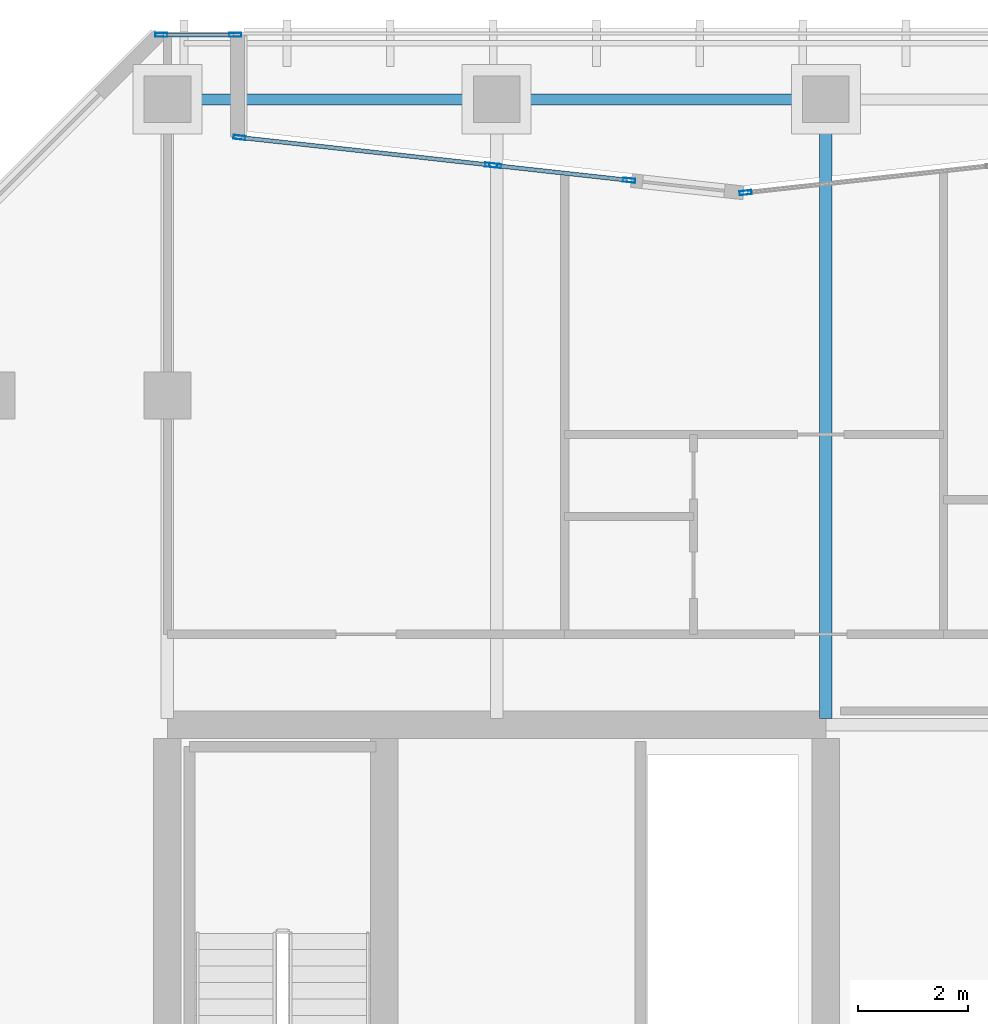
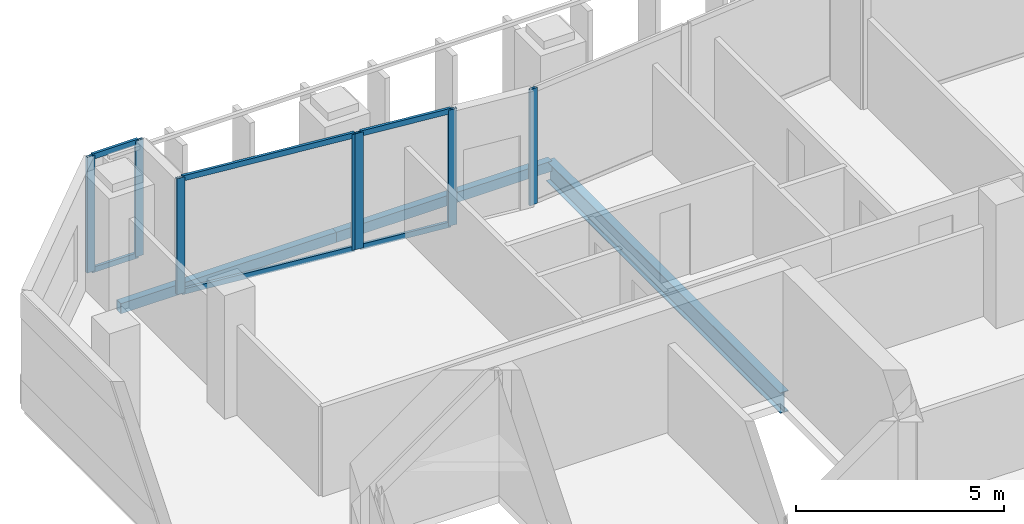
# One storey, part 8 of 28: 13 members, 3 beams, 4 elements without a shape of their own.
"""IFC4 building model written with IfcOpenShell, lengths in metres."""

from ifc_helpers import new_model, si_unit, direction, frame, origin, origin_2d, place, context, subcontext, project, spatial, hollow_rectangle, i_section, extrude, material, layer, layer_set, material_profile, profile_set, type_object, element, aggregate, save


model = new_model("IFC4")

# Units and contexts
model_context = context("Model", 3, precision=1e-05, world=origin(), true_north=direction((0.0, 1.0)))
body_context = subcontext(model_context, "Body", "Model", "MODEL_VIEW")
ifc_project = project(units=[si_unit("LENGTHUNIT", "METRE"), si_unit("AREAUNIT", "SQUARE_METRE"), si_unit("VOLUMEUNIT", "CUBIC_METRE"), si_unit("PLANEANGLEUNIT", "RADIAN"), si_unit("MASSUNIT", "GRAM", prefix="KILO")], contexts=[model_context])

# Site, building, storey
site_placement = place(None, origin())
site = spatial("IfcSite", under=ifc_project, at=site_placement, CompositionType="ELEMENT")
building_placement = place(site_placement, origin())
building = spatial("IfcBuilding", under=site, at=building_placement, Name="Tanjung Sevakor Pilgrim Tower", CompositionType="ELEMENT")
storey_placement = place(building_placement, frame((0.0, 0.0, 158.39990234375)))
storey = spatial("IfcBuildingStorey", under=building, at=storey_placement, Name="L44", CompositionType="ELEMENT", Elevation=158.39990234375)

# Beams
ifc_material_1 = material(Name="Steel S355J2", Category="steel")
ifc_material_profile_1 = material_profile(ifc_material_1, i_section(OverallWidth=0.22900390625, OverallDepth=0.6123046875, WebThickness=0.011962890625, FlangeThickness=0.01953125, FilletRadius=0.0126953125, at=origin_2d()))
ifc_profile_set_1 = profile_set([ifc_material_profile_1], Name="Steel S355J2")
beam_type_1 = type_object("IfcBeamType", Name="BM-B-G4-UB_610x229x125", PredefinedType="BEAM", material=ifc_profile_set_1)
beam_placement = place(storey_placement, frame((36.0, 42.715087890625, -0.526123046875), z_axis=(0.0, 1.0, 0.0), x_axis=(-1.0, 0.0, 0.0)))
element("IfcBeam", 1, at=beam_placement, inside=storey, type_object=beam_type_1, Name="L44 MAIN Girder 006", PredefinedType="BEAM", context=body_context, shape_type="SweptSolid", body=[
    extrude(i_section(OverallWidth=0.22900390625, OverallDepth=0.6123046875, WebThickness=0.011962890625, FlangeThickness=0.01953125, FilletRadius=0.0126953125, at=origin_2d()), origin(), (0.0, 0.0, 1.0), 11.284912109375),
])
ifc_material_2 = material(Name="Steel S355J2", Category="steel")
ifc_material_profile_2 = material_profile(ifc_material_2, hollow_rectangle(XDim=0.199951171875, YDim=0.300048828125, WallThickness=0.012451171875, at=origin_2d()))
ifc_profile_set_2 = profile_set([ifc_material_profile_2], Name="Steel S355J2")
beam_type_2 = type_object("IfcBeamType", Name="BM-B-SP3-RHS_300x200x12.5", PredefinedType="SPANDREL", material=ifc_profile_set_2)
for number, where, z_axis, x_axis, name in (
    (2, (24.0, 54.0, -0.369873046875), (1.0, 0.0, 0.0), (0.0, 1.0, 0.0), "L44 Spandrel MAIN N-02"),
    (3, (30.0, 54.0, -0.369873046875), (1.0, 0.0, 0.0), (0.0, 1.0, 0.0), "L44 Spandrel MAIN N-04"),
):
    element("IfcBeam", number, at=place(storey_placement, frame(where, z_axis=z_axis, x_axis=x_axis)), inside=storey, type_object=beam_type_2, Name=name, PredefinedType="SPANDREL", context=body_context, shape_type="SweptSolid", body=[
        extrude(hollow_rectangle(XDim=0.199951171875, YDim=0.300048828125, WallThickness=0.012451171875, at=origin_2d()), origin(), (0.0, 0.0, 1.0), 6.0),
    ])

# Curtain wall, member
ifc_material_3 = material(Name="Aluminium 6063-T6 and Low-E Glass", Category="aluminium")
ifc_layer = layer(ifc_material_3, 0.199951171875)
ifc_layer_set = layer_set([ifc_layer], Name="CW-SYS-PRAY")
curtain_wall_type = type_object("IfcCurtainWallType", Name="CW-SYS-PRAY", PredefinedType="NOTDEFINED", material=ifc_layer_set)
curtain_wall_1_placement = place(storey_placement, origin())
curtain_wall_1 = element("IfcCurtainWall", 4, at=curtain_wall_1_placement, inside=storey, type_object=curtain_wall_type, Name="L44 Curtain Wall CW-PRY-L44-28", PredefinedType="NOTDEFINED")
ifc_material_4 = material(Name="Aluminium 6063-T6", Category="aluminium")
ifc_material_profile_3 = material_profile(ifc_material_4, hollow_rectangle(XDim=0.074951171875, YDim=0.219970703125, WallThickness=0.0048828125, at=origin_2d()))
ifc_profile_set_3 = profile_set([ifc_material_profile_3], Name="Aluminium 6063-T6")
member_type_1 = type_object("IfcMemberType", Name="TYPE-CWM-2", PredefinedType="MULLION", material=ifc_profile_set_3)
member_1_placement = place(storey_placement, frame((34.537353515625, 52.29833984375, 0.0), z_axis=(0.0, 0.0, 1.0), x_axis=(0.109231369397, -0.994016351948, 0.0)))
member_1 = element("IfcMember", 5, at=member_1_placement, type_object=member_type_1, Name="CW-PRY mullion 2", PredefinedType="MULLION", context=body_context, shape_type="SweptSolid", body=[
    extrude(hollow_rectangle(XDim=0.074951171875, YDim=0.219970703125, WallThickness=0.0048828125, at=origin_2d()), origin(), (0.0, 0.0, 1.0), 3.41015625),
])
aggregate(curtain_wall_1, [member_1])

# Curtain wall, members
curtain_wall_2_placement = place(storey_placement, origin())
curtain_wall_2 = element("IfcCurtainWall", 6, at=curtain_wall_2_placement, inside=storey, type_object=curtain_wall_type, Name="L44 Curtain Wall CW-PRY-L44-29B", PredefinedType="NOTDEFINED")
member_2_placement = place(storey_placement, frame((32.4150390625, 52.523193359375, 0.0), z_axis=(0.0, 0.0, 1.0), x_axis=(-0.109238986427, -0.994015514891, 0.0)))
member_2 = element("IfcMember", 7, at=member_2_placement, type_object=member_type_1, Name="CW-PRY mullion 1", PredefinedType="MULLION", context=body_context, shape_type="SweptSolid", body=[
    extrude(hollow_rectangle(XDim=0.074951171875, YDim=0.219970703125, WallThickness=0.0048828125, at=origin_2d()), origin(), (0.0, 0.0, 1.0), 3.41015625),
])
member_3_placement = place(storey_placement, frame((29.9736328125, 52.79150390625, 0.0), z_axis=(0.0, 0.0, 1.0), x_axis=(-0.109238986427, -0.994015514891, 0.0)))
member_3 = element("IfcMember", 8, at=member_3_placement, type_object=member_type_1, Name="CW-PRY mullion 2", PredefinedType="MULLION", context=body_context, shape_type="SweptSolid", body=[
    extrude(hollow_rectangle(XDim=0.074951171875, YDim=0.219970703125, WallThickness=0.0048828125, at=origin_2d()), origin(), (0.0, 0.0, 1.0), 3.41015625),
])

curtain_wall_3_placement = place(storey_placement, origin())
curtain_wall_3 = element("IfcCurtainWall", 9, at=curtain_wall_3_placement, inside=storey, type_object=curtain_wall_type, Name="L44 Curtain Wall CW-PRY-L44-30", PredefinedType="NOTDEFINED")
member_4_placement = place(storey_placement, frame((29.89892578125, 52.7998046875, 0.0), z_axis=(0.0, 0.0, 1.0), x_axis=(-0.109247139061, -0.99401461891, 0.0)))
member_4 = element("IfcMember", 10, at=member_4_placement, type_object=member_type_1, Name="CW-PRY mullion 1", PredefinedType="MULLION", context=body_context, shape_type="SweptSolid", body=[
    extrude(hollow_rectangle(XDim=0.074951171875, YDim=0.219970703125, WallThickness=0.0048828125, at=origin_2d()), origin(), (0.0, 0.0, 1.0), 3.41015625),
])
member_5_placement = place(storey_placement, frame((25.312255859375, 53.303955078125, 0.0), z_axis=(0.0, 0.0, 1.0), x_axis=(-0.109247139061, -0.99401461891, 0.0)))
member_5 = element("IfcMember", 11, at=member_5_placement, type_object=member_type_1, Name="CW-PRY mullion 2", PredefinedType="MULLION", context=body_context, shape_type="SweptSolid", body=[
    extrude(hollow_rectangle(XDim=0.074951171875, YDim=0.219970703125, WallThickness=0.0048828125, at=origin_2d()), origin(), (0.0, 0.0, 1.0), 3.41015625),
])

curtain_wall_4_placement = place(storey_placement, origin())
curtain_wall_4 = element("IfcCurtainWall", 12, at=curtain_wall_4_placement, inside=storey, type_object=curtain_wall_type, Name="L44 Curtain Wall CW-PRY-L44-32", PredefinedType="NOTDEFINED")
member_6_placement = place(storey_placement, frame((25.237548828125, 55.175048828125, 0.0), z_axis=(0.0, 0.0, 1.0), x_axis=(0.0, -1.0, 0.0)))
member_6 = element("IfcMember", 13, at=member_6_placement, type_object=member_type_1, Name="CW-PRY mullion 1", PredefinedType="MULLION", context=body_context, shape_type="SweptSolid", body=[
    extrude(hollow_rectangle(XDim=0.074951171875, YDim=0.219970703125, WallThickness=0.0048828125, at=origin_2d()), origin(), (0.0, 0.0, 1.0), 3.41015625),
])
member_7_placement = place(storey_placement, frame((23.889404296875, 55.175048828125, 0.0), z_axis=(0.0, 0.0, 1.0), x_axis=(0.0, -1.0, 0.0)))
member_7 = element("IfcMember", 14, at=member_7_placement, type_object=member_type_1, Name="CW-PRY mullion 2", PredefinedType="MULLION", context=body_context, shape_type="SweptSolid", body=[
    extrude(hollow_rectangle(XDim=0.074951171875, YDim=0.219970703125, WallThickness=0.0048828125, at=origin_2d()), origin(), (0.0, 0.0, 1.0), 3.41015625),
])

# Member
ifc_material_5 = material(Name="Aluminium 6063-T6", Category="aluminium")
ifc_material_profile_4 = material_profile(ifc_material_5, hollow_rectangle(XDim=0.074951171875, YDim=0.159912109375, WallThickness=0.00439453125, at=origin_2d()))
ifc_profile_set_4 = profile_set([ifc_material_profile_4], Name="Aluminium 6063-T6")
member_type_2 = type_object("IfcMemberType", Name="TYPE-CWT-2", PredefinedType="USERDEFINED", material=ifc_profile_set_4)
member_8_placement = place(storey_placement, frame((32.377685546875, 52.52734375, 0.03759765625), z_axis=(-0.994009369353, 0.10929489301, 0.0), x_axis=(-0.10929489301, -0.994009369353, 0.0)))
member_8 = element("IfcMember", 15, at=member_8_placement, type_object=member_type_2, Name="CW-PRY transom 1.1", ObjectType="TRANSOM", PredefinedType="USERDEFINED", context=body_context, shape_type="SweptSolid", body=[
    extrude(hollow_rectangle(XDim=0.074951171875, YDim=0.159912109375, WallThickness=0.00439453125, at=origin_2d()), origin(), (0.0, 0.0, 1.0), 2.381103515625),
])

member_9_placement = place(storey_placement, frame((32.377685546875, 52.52734375, 3.37255859375), z_axis=(-0.994009369353, 0.10929489301, 0.0), x_axis=(-0.10929489301, -0.994009369353, 0.0)))
member_9 = element("IfcMember", 16, at=member_9_placement, type_object=member_type_2, Name="CW-PRY transom 1.2", ObjectType="TRANSOM", PredefinedType="USERDEFINED", context=body_context, shape_type="SweptSolid", body=[
    extrude(hollow_rectangle(XDim=0.074951171875, YDim=0.159912109375, WallThickness=0.00439453125, at=origin_2d()), origin(), (0.0, 0.0, 1.0), 2.381103515625),
])

aggregate(curtain_wall_2, [member_2, member_3, member_8, member_9])

member_10_placement = place(storey_placement, frame((29.86181640625, 52.803955078125, 0.03759765625), z_axis=(-0.994016157834, 0.109233135838, 0.0), x_axis=(-0.109233135838, -0.994016157834, 0.0)))
member_10 = element("IfcMember", 17, at=member_10_placement, type_object=member_type_2, Name="CW-PRY transom 1.1", ObjectType="TRANSOM", PredefinedType="USERDEFINED", context=body_context, shape_type="SweptSolid", body=[
    extrude(hollow_rectangle(XDim=0.074951171875, YDim=0.159912109375, WallThickness=0.00439453125, at=origin_2d()), origin(), (0.0, 0.0, 1.0), 4.539306640625),
])

member_11_placement = place(storey_placement, frame((29.86181640625, 52.803955078125, 3.37255859375), z_axis=(-0.994016157834, 0.109233135838, 0.0), x_axis=(-0.109233135838, -0.994016157834, 0.0)))
member_11 = element("IfcMember", 18, at=member_11_placement, type_object=member_type_2, Name="CW-PRY transom 1.2", ObjectType="TRANSOM", PredefinedType="USERDEFINED", context=body_context, shape_type="SweptSolid", body=[
    extrude(hollow_rectangle(XDim=0.074951171875, YDim=0.159912109375, WallThickness=0.00439453125, at=origin_2d()), origin(), (0.0, 0.0, 1.0), 4.539306640625),
])

aggregate(curtain_wall_3, [member_4, member_5, member_10, member_11])

member_12_placement = place(storey_placement, frame((25.199951171875, 55.175048828125, 0.03759765625), z_axis=(-1.0, 0.0, 0.0), x_axis=(0.0, -1.0, 0.0)))
member_12 = element("IfcMember", 19, at=member_12_placement, type_object=member_type_2, Name="CW-PRY transom 1.1", ObjectType="TRANSOM", PredefinedType="USERDEFINED", context=body_context, shape_type="SweptSolid", body=[
    extrude(hollow_rectangle(XDim=0.074951171875, YDim=0.159912109375, WallThickness=0.00439453125, at=origin_2d()), origin(), (0.0, 0.0, 1.0), 1.273193359375),
])

member_13_placement = place(storey_placement, frame((25.199951171875, 55.175048828125, 3.37255859375), z_axis=(-1.0, 0.0, 0.0), x_axis=(0.0, -1.0, 0.0)))
member_13 = element("IfcMember", 20, at=member_13_placement, type_object=member_type_2, Name="CW-PRY transom 1.2", ObjectType="TRANSOM", PredefinedType="USERDEFINED", context=body_context, shape_type="SweptSolid", body=[
    extrude(hollow_rectangle(XDim=0.074951171875, YDim=0.159912109375, WallThickness=0.00439453125, at=origin_2d()), origin(), (0.0, 0.0, 1.0), 1.273193359375),
])

aggregate(curtain_wall_4, [member_6, member_7, member_12, member_13])

save(model, "model.ifc")
